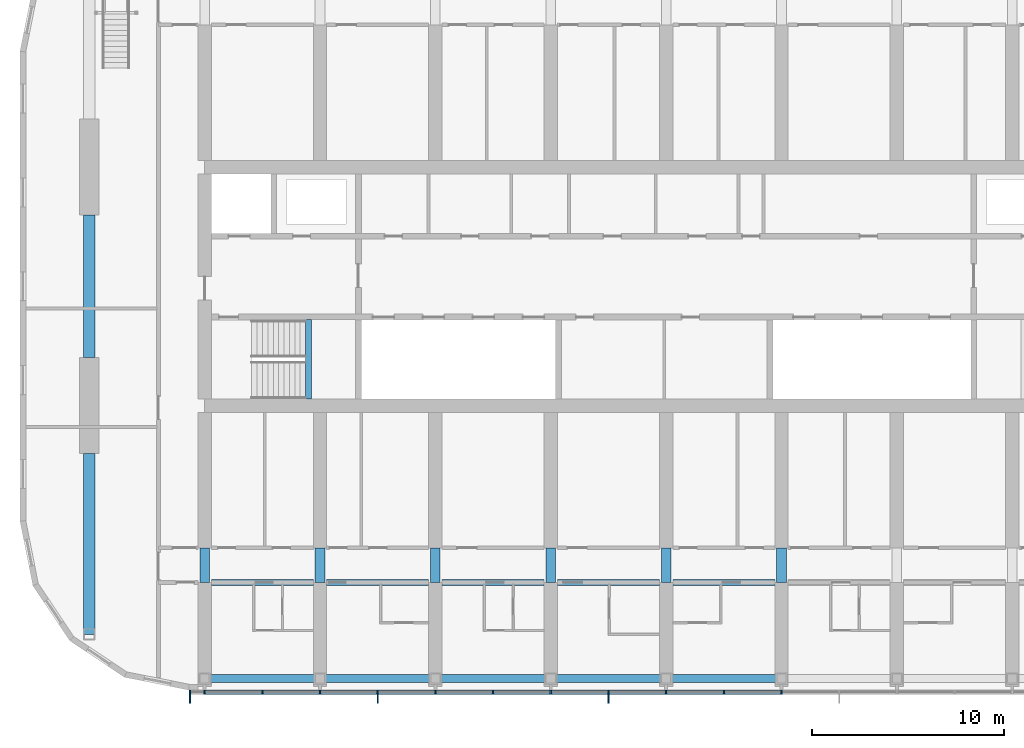
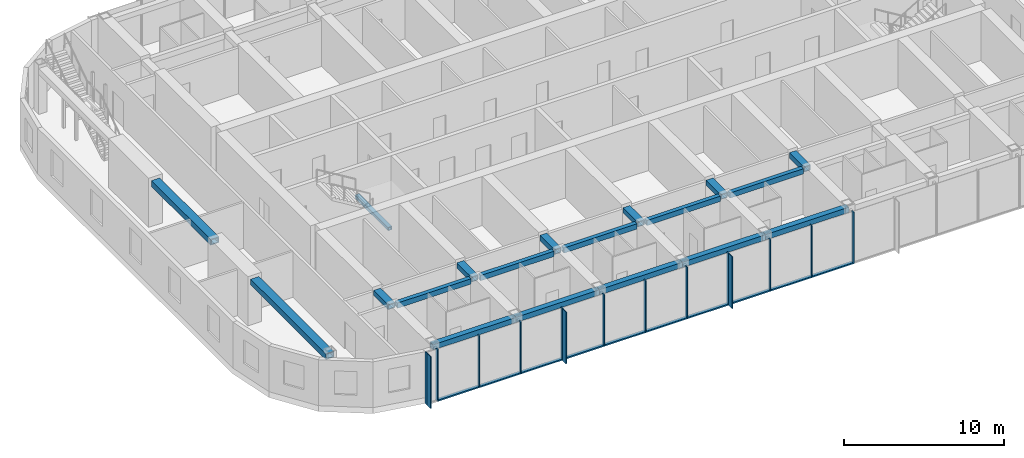
# One storey, part 4 of 26: 25 members, 19 beams, 1 element without a shape of its own.
"""IFC4 building model written with IfcOpenShell, lengths in metres."""

from ifc_helpers import new_model, si_unit, direction, frame, origin, origin_2d, place, context, subcontext, project, spatial, rectangle, hollow_rectangle, extrude, material, material_profile, profile_set, type_object, element, aggregate, save


model = new_model("IFC4")

# Units and contexts
model_context = context("Model", 3, precision=1e-05, world=origin(), true_north=direction((0.0, 1.0)))
body_context = subcontext(model_context, "Body", "Model", "MODEL_VIEW")
ifc_project = project(units=[si_unit("LENGTHUNIT", "METRE"), si_unit("AREAUNIT", "SQUARE_METRE"), si_unit("VOLUMEUNIT", "CUBIC_METRE"), si_unit("PLANEANGLEUNIT", "RADIAN"), si_unit("MASSUNIT", "GRAM", prefix="KILO")], contexts=[model_context])

# Site, building, storey
site_placement = place(None, origin())
site = spatial("IfcSite", under=ifc_project, at=site_placement, CompositionType="ELEMENT")
building_placement = place(site_placement, origin())
building = spatial("IfcBuilding", under=site, at=building_placement, Name="Orbita Commons", CompositionType="ELEMENT")
storey_placement = place(building_placement, frame((0.0, 0.0, 231.550048828125)))
storey = spatial("IfcBuildingStorey", under=building, at=storey_placement, Name="L57", CompositionType="ELEMENT", Elevation=231.550048828125)

# Curtain wall, members
ifc_material_1 = material(Name="Anodised aluminium frame, pale silver", Category="aluminium")
curtain_wall_type = type_object("IfcCurtainWallType", Name="Unitised curtain wall CW-U, full-height vision", PredefinedType="NOTDEFINED", material=ifc_material_1)
curtain_wall_placement = place(storey_placement, origin())
curtain_wall = element("IfcCurtainWall", 1, at=curtain_wall_placement, inside=storey, type_object=curtain_wall_type, Name="Curtain wall south L57", PredefinedType="NOTDEFINED")
ifc_material_2 = material(Name="Anodised aluminium, pale silver", Category="aluminium")
ifc_material_profile_1 = material_profile(ifc_material_2, rectangle(XDim=0.080078125, YDim=0.219970703125, at=origin_2d()), Name="AL 80x220")
ifc_profile_set_1 = profile_set([ifc_material_profile_1], Name="Anodised aluminium, pale silver")
member_type_1 = type_object("IfcMemberType", Name="Curtain wall mullion 80x220", PredefinedType="MULLION", material=ifc_profile_set_1)
member_1_placement = place(storey_placement, frame((17.239990234375, 10.889892578125, -0.449951171875), z_axis=(0.0, 0.0, 1.0), x_axis=(1.0, 0.0, 0.0)))
member_1 = element("IfcMember", 2, at=member_1_placement, type_object=member_type_1, Name="Mullion 1 CW-L57-S", PredefinedType="MULLION", context=body_context, shape_type="SweptSolid", body=[
    extrude(rectangle(XDim=0.080078125, YDim=0.219970703125, at=origin_2d()), origin(), (0.0, 0.0, 1.0), 3.949951171875),
])
member_2_placement = place(storey_placement, frame((18.0, 10.889892578125, -0.449951171875), z_axis=(0.0, 0.0, 1.0), x_axis=(1.0, 0.0, 0.0)))
member_2 = element("IfcMember", 3, at=member_2_placement, type_object=member_type_1, Name="Mullion 2 CW-L57-S", PredefinedType="MULLION", context=body_context, shape_type="SweptSolid", body=[
    extrude(rectangle(XDim=0.080078125, YDim=0.219970703125, at=origin_2d()), origin(), (0.0, 0.0, 1.0), 3.949951171875),
])
member_3_placement = place(storey_placement, frame((21.0, 10.889892578125, -0.449951171875), z_axis=(0.0, 0.0, 1.0), x_axis=(1.0, 0.0, 0.0)))
member_3 = element("IfcMember", 4, at=member_3_placement, type_object=member_type_1, Name="Mullion 3 CW-L57-S", PredefinedType="MULLION", context=body_context, shape_type="SweptSolid", body=[
    extrude(rectangle(XDim=0.080078125, YDim=0.219970703125, at=origin_2d()), origin(), (0.0, 0.0, 1.0), 3.949951171875),
])
member_4_placement = place(storey_placement, frame((24.0, 10.889892578125, -0.449951171875), z_axis=(0.0, 0.0, 1.0), x_axis=(1.0, 0.0, 0.0)))
member_4 = element("IfcMember", 5, at=member_4_placement, type_object=member_type_1, Name="Mullion 4 CW-L57-S", PredefinedType="MULLION", context=body_context, shape_type="SweptSolid", body=[
    extrude(rectangle(XDim=0.080078125, YDim=0.219970703125, at=origin_2d()), origin(), (0.0, 0.0, 1.0), 3.949951171875),
])
member_5_placement = place(storey_placement, frame((27.0, 10.889892578125, -0.449951171875), z_axis=(0.0, 0.0, 1.0), x_axis=(1.0, 0.0, 0.0)))
member_5 = element("IfcMember", 6, at=member_5_placement, type_object=member_type_1, Name="Mullion 5 CW-L57-S", PredefinedType="MULLION", context=body_context, shape_type="SweptSolid", body=[
    extrude(rectangle(XDim=0.080078125, YDim=0.219970703125, at=origin_2d()), origin(), (0.0, 0.0, 1.0), 3.949951171875),
])
member_6_placement = place(storey_placement, frame((30.0, 10.889892578125, -0.449951171875), z_axis=(0.0, 0.0, 1.0), x_axis=(1.0, 0.0, 0.0)))
member_6 = element("IfcMember", 7, at=member_6_placement, type_object=member_type_1, Name="Mullion 6 CW-L57-S", PredefinedType="MULLION", context=body_context, shape_type="SweptSolid", body=[
    extrude(rectangle(XDim=0.080078125, YDim=0.219970703125, at=origin_2d()), origin(), (0.0, 0.0, 1.0), 3.949951171875),
])
member_7_placement = place(storey_placement, frame((33.0, 10.889892578125, -0.449951171875), z_axis=(0.0, 0.0, 1.0), x_axis=(1.0, 0.0, 0.0)))
member_7 = element("IfcMember", 8, at=member_7_placement, type_object=member_type_1, Name="Mullion 7 CW-L57-S", PredefinedType="MULLION", context=body_context, shape_type="SweptSolid", body=[
    extrude(rectangle(XDim=0.080078125, YDim=0.219970703125, at=origin_2d()), origin(), (0.0, 0.0, 1.0), 3.949951171875),
])
member_8_placement = place(storey_placement, frame((36.0, 10.889892578125, -0.449951171875), z_axis=(0.0, 0.0, 1.0), x_axis=(1.0, 0.0, 0.0)))
member_8 = element("IfcMember", 9, at=member_8_placement, type_object=member_type_1, Name="Mullion 8 CW-L57-S", PredefinedType="MULLION", context=body_context, shape_type="SweptSolid", body=[
    extrude(rectangle(XDim=0.080078125, YDim=0.219970703125, at=origin_2d()), origin(), (0.0, 0.0, 1.0), 3.949951171875),
])
member_9_placement = place(storey_placement, frame((39.0, 10.889892578125, -0.449951171875), z_axis=(0.0, 0.0, 1.0), x_axis=(1.0, 0.0, 0.0)))
member_9 = element("IfcMember", 10, at=member_9_placement, type_object=member_type_1, Name="Mullion 9 CW-L57-S", PredefinedType="MULLION", context=body_context, shape_type="SweptSolid", body=[
    extrude(rectangle(XDim=0.080078125, YDim=0.219970703125, at=origin_2d()), origin(), (0.0, 0.0, 1.0), 3.949951171875),
])
member_10_placement = place(storey_placement, frame((42.0, 10.889892578125, -0.449951171875), z_axis=(0.0, 0.0, 1.0), x_axis=(1.0, 0.0, 0.0)))
member_10 = element("IfcMember", 11, at=member_10_placement, type_object=member_type_1, Name="Mullion 10 CW-L57-S", PredefinedType="MULLION", context=body_context, shape_type="SweptSolid", body=[
    extrude(rectangle(XDim=0.080078125, YDim=0.219970703125, at=origin_2d()), origin(), (0.0, 0.0, 1.0), 3.949951171875),
])
member_11_placement = place(storey_placement, frame((45.0, 10.889892578125, -0.449951171875), z_axis=(0.0, 0.0, 1.0), x_axis=(1.0, 0.0, 0.0)))
member_11 = element("IfcMember", 12, at=member_11_placement, type_object=member_type_1, Name="Mullion 11 CW-L57-S", PredefinedType="MULLION", context=body_context, shape_type="SweptSolid", body=[
    extrude(rectangle(XDim=0.080078125, YDim=0.219970703125, at=origin_2d()), origin(), (0.0, 0.0, 1.0), 3.949951171875),
])
member_12_placement = place(storey_placement, frame((48.0, 10.889892578125, -0.449951171875), z_axis=(0.0, 0.0, 1.0), x_axis=(1.0, 0.0, 0.0)))
member_12 = element("IfcMember", 13, at=member_12_placement, type_object=member_type_1, Name="Mullion 12 CW-L57-S", PredefinedType="MULLION", context=body_context, shape_type="SweptSolid", body=[
    extrude(rectangle(XDim=0.080078125, YDim=0.219970703125, at=origin_2d()), origin(), (0.0, 0.0, 1.0), 3.949951171875),
])
ifc_material_3 = material(Name="Anodised aluminium, pale silver", Category="aluminium")
ifc_material_profile_2 = material_profile(ifc_material_3, rectangle(XDim=0.219970703125, YDim=0.10009765625, at=origin_2d()), Name="AL 220x100")
ifc_profile_set_2 = profile_set([ifc_material_profile_2], Name="Anodised aluminium, pale silver")
member_type_2 = type_object("IfcMemberType", Name="Curtain wall stack transom 220x100", PredefinedType="USERDEFINED", material=ifc_profile_set_2)
member_13_placement = place(storey_placement, frame((18.0400390625, 10.889892578125, -0.400146484375), z_axis=(1.0, 0.0, 0.0), x_axis=(0.0, 1.0, 0.0)))
member_13 = element("IfcMember", 14, at=member_13_placement, type_object=member_type_2, Name="Transom 2.1 CW-L57-S", ObjectType="TRANSOM", PredefinedType="USERDEFINED", context=body_context, shape_type="SweptSolid", body=[
    extrude(rectangle(XDim=0.219970703125, YDim=0.10009765625, at=origin_2d()), origin(), (0.0, 0.0, 1.0), 2.919921875),
])
member_14_placement = place(storey_placement, frame((21.0400390625, 10.889892578125, -0.400146484375), z_axis=(1.0, 0.0, 0.0), x_axis=(0.0, 1.0, 0.0)))
member_14 = element("IfcMember", 15, at=member_14_placement, type_object=member_type_2, Name="Transom 3.1 CW-L57-S", ObjectType="TRANSOM", PredefinedType="USERDEFINED", context=body_context, shape_type="SweptSolid", body=[
    extrude(rectangle(XDim=0.219970703125, YDim=0.10009765625, at=origin_2d()), origin(), (0.0, 0.0, 1.0), 2.919921875),
])
member_15_placement = place(storey_placement, frame((24.0400390625, 10.889892578125, -0.400146484375), z_axis=(1.0, 0.0, 0.0), x_axis=(0.0, 1.0, 0.0)))
member_15 = element("IfcMember", 16, at=member_15_placement, type_object=member_type_2, Name="Transom 4.1 CW-L57-S", ObjectType="TRANSOM", PredefinedType="USERDEFINED", context=body_context, shape_type="SweptSolid", body=[
    extrude(rectangle(XDim=0.219970703125, YDim=0.10009765625, at=origin_2d()), origin(), (0.0, 0.0, 1.0), 2.919921875),
])
member_16_placement = place(storey_placement, frame((27.0400390625, 10.889892578125, -0.400146484375), z_axis=(1.0, 0.0, 0.0), x_axis=(0.0, 1.0, 0.0)))
member_16 = element("IfcMember", 17, at=member_16_placement, type_object=member_type_2, Name="Transom 5.1 CW-L57-S", ObjectType="TRANSOM", PredefinedType="USERDEFINED", context=body_context, shape_type="SweptSolid", body=[
    extrude(rectangle(XDim=0.219970703125, YDim=0.10009765625, at=origin_2d()), origin(), (0.0, 0.0, 1.0), 2.919921875),
])
member_17_placement = place(storey_placement, frame((30.0400390625, 10.889892578125, -0.400146484375), z_axis=(1.0, 0.0, 0.0), x_axis=(0.0, 1.0, 0.0)))
member_17 = element("IfcMember", 18, at=member_17_placement, type_object=member_type_2, Name="Transom 6.1 CW-L57-S", ObjectType="TRANSOM", PredefinedType="USERDEFINED", context=body_context, shape_type="SweptSolid", body=[
    extrude(rectangle(XDim=0.219970703125, YDim=0.10009765625, at=origin_2d()), origin(), (0.0, 0.0, 1.0), 2.919921875),
])
member_18_placement = place(storey_placement, frame((33.0400390625, 10.889892578125, -0.400146484375), z_axis=(1.0, 0.0, 0.0), x_axis=(0.0, 1.0, 0.0)))
member_18 = element("IfcMember", 19, at=member_18_placement, type_object=member_type_2, Name="Transom 7.1 CW-L57-S", ObjectType="TRANSOM", PredefinedType="USERDEFINED", context=body_context, shape_type="SweptSolid", body=[
    extrude(rectangle(XDim=0.219970703125, YDim=0.10009765625, at=origin_2d()), origin(), (0.0, 0.0, 1.0), 2.919921875),
])
member_19_placement = place(storey_placement, frame((36.0400390625, 10.889892578125, -0.400146484375), z_axis=(1.0, 0.0, 0.0), x_axis=(0.0, 1.0, 0.0)))
member_19 = element("IfcMember", 20, at=member_19_placement, type_object=member_type_2, Name="Transom 8.1 CW-L57-S", ObjectType="TRANSOM", PredefinedType="USERDEFINED", context=body_context, shape_type="SweptSolid", body=[
    extrude(rectangle(XDim=0.219970703125, YDim=0.10009765625, at=origin_2d()), origin(), (0.0, 0.0, 1.0), 2.919921875),
])
member_20_placement = place(storey_placement, frame((39.0400390625, 10.889892578125, -0.400146484375), z_axis=(1.0, 0.0, 0.0), x_axis=(0.0, 1.0, 0.0)))
member_20 = element("IfcMember", 21, at=member_20_placement, type_object=member_type_2, Name="Transom 9.1 CW-L57-S", ObjectType="TRANSOM", PredefinedType="USERDEFINED", context=body_context, shape_type="SweptSolid", body=[
    extrude(rectangle(XDim=0.219970703125, YDim=0.10009765625, at=origin_2d()), origin(), (0.0, 0.0, 1.0), 2.919921875),
])
member_21_placement = place(storey_placement, frame((42.0400390625, 10.889892578125, -0.400146484375), z_axis=(1.0, 0.0, 0.0), x_axis=(0.0, 1.0, 0.0)))
member_21 = element("IfcMember", 22, at=member_21_placement, type_object=member_type_2, Name="Transom 10.1 CW-L57-S", ObjectType="TRANSOM", PredefinedType="USERDEFINED", context=body_context, shape_type="SweptSolid", body=[
    extrude(rectangle(XDim=0.219970703125, YDim=0.10009765625, at=origin_2d()), origin(), (0.0, 0.0, 1.0), 2.919921875),
])
member_22_placement = place(storey_placement, frame((45.0400390625, 10.889892578125, -0.400146484375), z_axis=(1.0, 0.0, 0.0), x_axis=(0.0, 1.0, 0.0)))
member_22 = element("IfcMember", 23, at=member_22_placement, type_object=member_type_2, Name="Transom 11.1 CW-L57-S", ObjectType="TRANSOM", PredefinedType="USERDEFINED", context=body_context, shape_type="SweptSolid", body=[
    extrude(rectangle(XDim=0.219970703125, YDim=0.10009765625, at=origin_2d()), origin(), (0.0, 0.0, 1.0), 2.919921875),
])

# Beams
ifc_material_4 = material(Name="Steel ASTM A572 Gr 50 welded plate", Category="steel")
ifc_material_profile_3 = material_profile(ifc_material_4, hollow_rectangle(XDim=0.300048828125, YDim=0.25, WallThickness=0.02490234375, at=origin_2d()), Name="BOX 250x300x25")
ifc_profile_set_3 = profile_set([ifc_material_profile_3], Name="Steel ASTM A572 Gr 50 welded plate")
beam_type_1 = type_object("IfcBeamType", Name="Stair landing beam steel BOX 250x300x25", PredefinedType="BEAM", material=ifc_profile_set_3)
beam_1_placement = place(storey_placement, frame((23.39990234375, 26.135009765625, 1.550048828125), z_axis=(0.0, 1.0, 0.0), x_axis=(-1.0, 0.0, 0.0)))
element("IfcBeam", 24, at=beam_1_placement, inside=storey, type_object=beam_type_1, Name="Stair S1 landing beam L57 1", PredefinedType="BEAM", context=body_context, shape_type="SweptSolid", body=[
    extrude(hollow_rectangle(XDim=0.300048828125, YDim=0.25, WallThickness=0.02490234375, at=origin_2d()), origin(), (0.0, 0.0, 1.0), 4.1298828125),
])
ifc_material_5 = material(Name="Steel ASTM A572 Gr 50 welded plate", Category="steel")
ifc_material_profile_4 = material_profile(ifc_material_5, hollow_rectangle(XDim=0.300048828125, YDim=0.39990234375, WallThickness=0.0400390625, at=origin_2d()), Name="BOX 400x300x40")
ifc_profile_set_4 = profile_set([ifc_material_profile_4], Name="Steel ASTM A572 Gr 50 welded plate")
beam_type_2 = type_object("IfcBeamType", Name="Steel corridor link BOX 400x300x40", PredefinedType="BEAM", material=ifc_profile_set_4)
for number, where, z_axis, x_axis, name in (
    (25, (18.35009765625, 16.60009765625, 3.300048828125), (1.0, 0.0, 0.0), (0.0, 1.0, 0.0), "Corridor beam SA 4-5 L57"),
    (26, (24.35009765625, 16.60009765625, 3.300048828125), (1.0, 0.0, 0.0), (0.0, 1.0, 0.0), "Corridor beam SA 5-6 L57"),
    (27, (30.35009765625, 16.60009765625, 3.300048828125), (1.0, 0.0, 0.0), (0.0, 1.0, 0.0), "Corridor beam SA 6-7 L57"),
    (28, (36.35009765625, 16.60009765625, 3.300048828125), (1.0, 0.0, 0.0), (0.0, 1.0, 0.0), "Corridor beam SA 7-8 L57"),
    (29, (42.35009765625, 16.60009765625, 3.300048828125), (1.0, 0.0, 0.0), (0.0, 1.0, 0.0), "Corridor beam SA 8-9 L57"),
):
    element("IfcBeam", number, at=place(storey_placement, frame(where, z_axis=z_axis, x_axis=x_axis)), inside=storey, type_object=beam_type_2, Name=name, PredefinedType="BEAM", context=body_context, shape_type="SweptSolid", body=[
        extrude(hollow_rectangle(XDim=0.300048828125, YDim=0.39990234375, WallThickness=0.0400390625, at=origin_2d()), origin(), (0.0, 0.0, 1.0), 5.2998046875),
    ])
ifc_material_6 = material(Name="Steel ASTM A572 Gr 50 welded plate", Category="steel")
ifc_material_profile_5 = material_profile(ifc_material_6, hollow_rectangle(XDim=0.5, YDim=0.39990234375, WallThickness=0.050048828125, at=origin_2d()), Name="BOX 400x500x50")
ifc_profile_set_5 = profile_set([ifc_material_profile_5], Name="Steel ASTM A572 Gr 50 welded plate")
beam_type_3 = type_object("IfcBeamType", Name="Steel coupling link BOX 400x500x50", PredefinedType="LINTEL", material=ifc_profile_set_5)
for number, where, z_axis, x_axis, name in (
    (30, (18.0, 16.60009765625, 3.300048828125), (0.0, 1.0, 0.0), (-1.0, 0.0, 0.0), "Coupling beam 4 south L57"),
    (31, (24.0, 16.60009765625, 3.300048828125), (0.0, 1.0, 0.0), (-1.0, 0.0, 0.0), "Coupling beam 5 south L57"),
    (32, (30.0, 16.60009765625, 3.300048828125), (0.0, 1.0, 0.0), (-1.0, 0.0, 0.0), "Coupling beam 6 south L57"),
    (33, (36.0, 16.60009765625, 3.300048828125), (0.0, 1.0, 0.0), (-1.0, 0.0, 0.0), "Coupling beam 7 south L57"),
    (34, (42.0, 16.60009765625, 3.300048828125), (0.0, 1.0, 0.0), (-1.0, 0.0, 0.0), "Coupling beam 8 south L57"),
    (35, (48.0, 16.60009765625, 3.300048828125), (0.0, 1.0, 0.0), (-1.0, 0.0, 0.0), "Coupling beam 9 south L57"),
):
    element("IfcBeam", number, at=place(storey_placement, frame(where, z_axis=z_axis, x_axis=x_axis)), inside=storey, type_object=beam_type_3, Name=name, PredefinedType="LINTEL", context=body_context, shape_type="SweptSolid", body=[
        extrude(hollow_rectangle(XDim=0.5, YDim=0.39990234375, WallThickness=0.050048828125, at=origin_2d()), origin(), (0.0, 0.0, 1.0), 1.7998046875),
    ])
ifc_material_7 = material(Name="Steel ASTM A572 Gr 50 welded plate", Category="steel")
ifc_material_profile_6 = material_profile(ifc_material_7, hollow_rectangle(XDim=0.60009765625, YDim=0.449951171875, WallThickness=0.06005859375, at=origin_2d()), Name="BOX 450x600x60")
ifc_profile_set_6 = profile_set([ifc_material_profile_6], Name="Steel ASTM A572 Gr 50 welded plate")
beam_type_4 = type_object("IfcBeamType", Name="Steel end frame link BOX 450x600x60", PredefinedType="BEAM", material=ifc_profile_set_6)
beam_2_placement = place(storey_placement, frame((12.0, 13.89990234375, 3.27490234375), z_axis=(0.0, 1.0, 0.0), x_axis=(-1.0, 0.0, 0.0)))
element("IfcBeam", 36, at=beam_2_placement, inside=storey, type_object=beam_type_4, Name="End frame beam 3 B-C L57", PredefinedType="BEAM", context=body_context, shape_type="SweptSolid", body=[
    extrude(hollow_rectangle(XDim=0.60009765625, YDim=0.449951171875, WallThickness=0.06005859375, at=origin_2d()), origin(), (0.0, 0.0, 1.0), 9.400146484375),
])
beam_3_placement = place(storey_placement, frame((12.0, 28.300048828125, 3.27490234375), z_axis=(0.0, 1.0, 0.0), x_axis=(-1.0, 0.0, 0.0)))
element("IfcBeam", 37, at=beam_3_placement, inside=storey, type_object=beam_type_4, Name="End frame beam 3 C-D L57", PredefinedType="BEAM", context=body_context, shape_type="SweptSolid", body=[
    extrude(hollow_rectangle(XDim=0.60009765625, YDim=0.449951171875, WallThickness=0.06005859375, at=origin_2d()), origin(), (0.0, 0.0, 1.0), 7.39990234375),
])
ifc_material_8 = material(Name="Steel ASTM A572 Gr 50 welded plate", Category="steel")
ifc_material_profile_7 = material_profile(ifc_material_8, hollow_rectangle(XDim=0.39990234375, YDim=0.39990234375, WallThickness=0.0400390625, at=origin_2d()), Name="BOX 400x400x40")
ifc_profile_set_7 = profile_set([ifc_material_profile_7], Name="Steel ASTM A572 Gr 50 welded plate")
beam_type_5 = type_object("IfcBeamType", Name="Steel spandrel BOX 400x400x40", PredefinedType="SPANDREL", material=ifc_profile_set_7)
for number, where, z_axis, x_axis, name in (
    (38, (18.0, 11.60009765625, 3.300048828125), (1.0, 0.0, 0.0), (0.0, 1.0, 0.0), "Spandrel beam B 4-5 L57"),
    (39, (24.0, 11.60009765625, 3.300048828125), (1.0, 0.0, 0.0), (0.0, 1.0, 0.0), "Spandrel beam B 5-6 L57"),
    (40, (30.0, 11.60009765625, 3.300048828125), (1.0, 0.0, 0.0), (0.0, 1.0, 0.0), "Spandrel beam B 6-7 L57"),
    (41, (36.0, 11.60009765625, 3.300048828125), (1.0, 0.0, 0.0), (0.0, 1.0, 0.0), "Spandrel beam B 7-8 L57"),
    (42, (42.0, 11.60009765625, 3.300048828125), (1.0, 0.0, 0.0), (0.0, 1.0, 0.0), "Spandrel beam B 8-9 L57"),
):
    element("IfcBeam", number, at=place(storey_placement, frame(where, z_axis=z_axis, x_axis=x_axis)), inside=storey, type_object=beam_type_5, Name=name, PredefinedType="SPANDREL", context=body_context, shape_type="SweptSolid", body=[
        extrude(hollow_rectangle(XDim=0.39990234375, YDim=0.39990234375, WallThickness=0.0400390625, at=origin_2d()), origin(), (0.0, 0.0, 1.0), 6.0),
    ])

# Member
ifc_material_9 = material(Name="Anodised aluminium, pale silver", Category="aluminium")
ifc_material_profile_8 = material_profile(ifc_material_9, rectangle(XDim=0.06005859375, YDim=0.449951171875, at=origin_2d()), Name="FIN 60x450")
ifc_profile_set_8 = profile_set([ifc_material_profile_8], Name="Anodised aluminium, pale silver")
member_type_3 = type_object("IfcMemberType", Name="Vertical fin 60x450 pale aluminium", PredefinedType="USERDEFINED", material=ifc_profile_set_8)
member_23_placement = place(storey_placement, frame((17.239990234375, 10.554931640625, -0.449951171875), z_axis=(0.0, 0.0, 1.0), x_axis=(1.0, 0.0, 0.0)))
member_23 = element("IfcMember", 43, at=member_23_placement, type_object=member_type_3, Name="Fin 1 CW-L57-S", ObjectType="FIN", PredefinedType="USERDEFINED", context=body_context, shape_type="SweptSolid", body=[
    extrude(rectangle(XDim=0.06005859375, YDim=0.449951171875, at=origin_2d()), origin(), (0.0, 0.0, 1.0), 3.949951171875),
])

member_24_placement = place(storey_placement, frame((27.0, 10.554931640625, -0.449951171875), z_axis=(0.0, 0.0, 1.0), x_axis=(1.0, 0.0, 0.0)))
member_24 = element("IfcMember", 44, at=member_24_placement, type_object=member_type_3, Name="Fin 5 CW-L57-S", ObjectType="FIN", PredefinedType="USERDEFINED", context=body_context, shape_type="SweptSolid", body=[
    extrude(rectangle(XDim=0.06005859375, YDim=0.449951171875, at=origin_2d()), origin(), (0.0, 0.0, 1.0), 3.949951171875),
])

member_25_placement = place(storey_placement, frame((39.0, 10.554931640625, -0.449951171875), z_axis=(0.0, 0.0, 1.0), x_axis=(1.0, 0.0, 0.0)))
member_25 = element("IfcMember", 45, at=member_25_placement, type_object=member_type_3, Name="Fin 9 CW-L57-S", ObjectType="FIN", PredefinedType="USERDEFINED", context=body_context, shape_type="SweptSolid", body=[
    extrude(rectangle(XDim=0.06005859375, YDim=0.449951171875, at=origin_2d()), origin(), (0.0, 0.0, 1.0), 3.949951171875),
])

aggregate(curtain_wall, [member_1, member_23, member_2, member_3, member_4, member_5, member_24, member_6, member_7, member_8, member_9, member_25, member_10, member_11, member_12, member_13, member_14, member_15, member_16, member_17, member_18, member_19, member_20, member_21, member_22])

save(model, "model.ifc")
